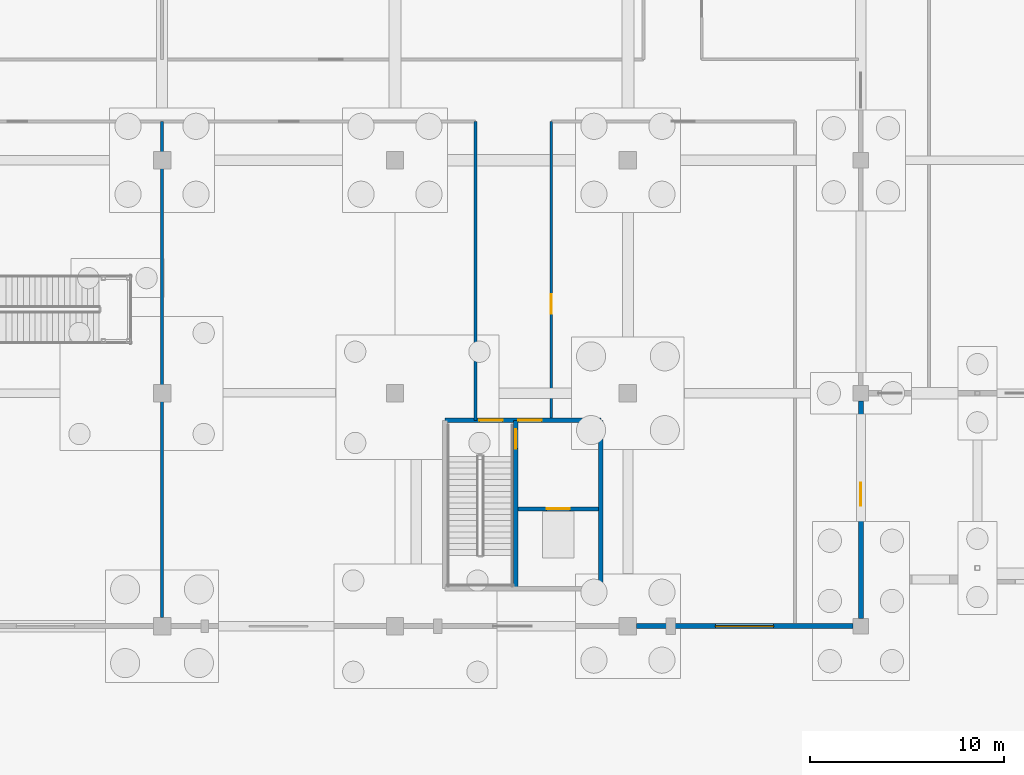
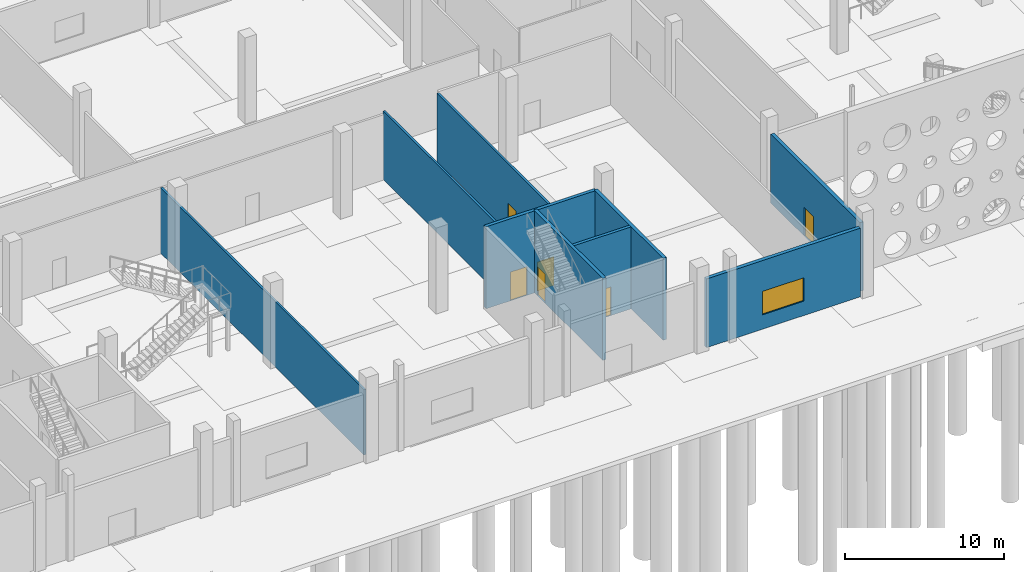
# One storey, part 88 of 117: 9 walls, 6 doors, 1 window, 7 openings.
"""IFC4 building model written with IfcOpenShell, lengths in metres."""

import ifcopenshell
import ifcopenshell.guid

model = None  # the IFC model being written
_history = None  # IfcOwnerHistory: only IFC2X3 demands one
_inside = {}  # id of a spatial element -> (the spatial element, [elements in it])
_under = {}  # id of a project, library or spatial element -> (it, [spatial elements below it])
_declared = {}  # id of a project -> (the project, [libraries it declares])
_typed = {}  # id of a type object -> (the type object, [elements of that type])
_made_of = {}  # id of a material, layer set ... -> (it, [elements and type objects made of it])


def new_model(schema):
    """Start an empty IFC model of exactly this schema.

    Asked for "IFC4X3", IfcOpenShell would pick the latest addendum, in which some entities
    have other attributes; the version numbers below select the first issue.
    IFC2X3 requires an IfcOwnerHistory on every rooted entity: one is made here for all.
    """
    global model, _history
    if schema == "IFC4X3":
        model = ifcopenshell.file(schema_version=(4, 3, 0, 0))
    else:
        model = ifcopenshell.file(schema=schema)
    _inside.clear()
    _under.clear()
    _declared.clear()
    _typed.clear()
    _made_of.clear()
    _history = None
    if model.schema == "IFC2X3":
        org = make("IfcOrganization", Name="unknown")
        user = make(
            "IfcPersonAndOrganization",
            ThePerson=make("IfcPerson", FamilyName="unknown"),
            TheOrganization=org,
        )
        app = make(
            "IfcApplication",
            ApplicationDeveloper=org,
            Version="unknown",
            ApplicationFullName="unknown",
            ApplicationIdentifier="unknown",
        )
        _history = make(
            "IfcOwnerHistory",
            OwningUser=user,
            OwningApplication=app,
            ChangeAction="ADDED",
            CreationDate=0,
        )
    return model


def make(cls, **values):
    """One entity of the class cls with the attributes given. An attribute that is None is left unset."""
    return model.create_entity(
        cls, **{name: value for name, value in values.items() if value is not None}
    )


def rooted(cls, **values):
    """An entity with a GlobalId (a new one), such as an element, a storey or a relation."""
    return make(cls, GlobalId=ifcopenshell.guid.new(), OwnerHistory=_history, **values)


def si_unit(unit_type, name, prefix=None):
    """IfcSIUnit, for example si_unit("LENGTHUNIT", "METRE", prefix="MILLI")."""
    return make("IfcSIUnit", UnitType=unit_type, Prefix=prefix, Name=name)


def assignment(units):
    """IfcUnitAssignment: the units of a project."""
    return None if units is None else make("IfcUnitAssignment", Units=units)


def point(xyz):
    """IfcCartesianPoint."""
    return None if xyz is None else make("IfcCartesianPoint", Coordinates=xyz)


def direction(xyz):
    """IfcDirection."""
    return None if xyz is None else make("IfcDirection", DirectionRatios=xyz)


def frame(location, z_axis=None, x_axis=None):
    """IfcAxis2Placement3D, a coordinate frame: its origin and axes. An axis left out is left unset."""
    return make(
        "IfcAxis2Placement3D",
        Location=point(location),
        Axis=direction(z_axis),
        RefDirection=direction(x_axis),
    )


def frame_2d(location, x_axis=None):
    """IfcAxis2Placement2D, a coordinate frame in the plane: its origin and x axis."""
    return make(
        "IfcAxis2Placement2D", Location=point(location), RefDirection=direction(x_axis)
    )


def origin():
    """The frame at (0, 0, 0) with its axes left unset."""
    return frame((0.0, 0.0, 0.0))


def place(relative_to, where):
    """IfcLocalPlacement: puts the frame where relative to a parent placement (None: the world)."""
    return make(
        "IfcLocalPlacement", PlacementRelTo=relative_to, RelativePlacement=where
    )


def context(
    kind, dimensions, precision=None, world=None, true_north=None, identifier=None
):
    """IfcGeometricRepresentationContext, for example the 3D "Model" context."""
    return make(
        "IfcGeometricRepresentationContext",
        ContextIdentifier=identifier,
        ContextType=kind,
        CoordinateSpaceDimension=dimensions,
        Precision=precision,
        WorldCoordinateSystem=world,
        TrueNorth=true_north,
    )


def subcontext(parent, identifier, kind, view, scale=None):
    """IfcGeometricRepresentationSubContext, for example "Body" below "Model"."""
    return make(
        "IfcGeometricRepresentationSubContext",
        ContextIdentifier=identifier,
        ContextType=kind,
        ParentContext=parent,
        TargetScale=scale,
        TargetView=view,
    )


def project(units=None, contexts=None):
    """IfcProject with its units and contexts."""
    return rooted(
        "IfcProject",
        Name="project",
        RepresentationContexts=contexts,
        UnitsInContext=assignment(units),
    )


def spatial(cls, under=None, at=None, **own):
    """A site, building, storey or space (cls), placed at a placement, below another one or the project."""
    s = rooted(cls, ObjectPlacement=at, **own)
    if under is not None:
        _under.setdefault(under.id(), (under, []))[1].append(s)
    return s


def profile(cls, at=None, kind="AREA", **sizes):
    """A parametric profile (cls). Its sizes go by their IFC names, for example OverallWidth=200.0."""
    return make(cls, ProfileType=kind, Position=at, **sizes)


def rectangle(**sizes):
    """IfcRectangleProfileDef."""
    return profile("IfcRectangleProfileDef", **sizes)


def extrude(swept, where, along, depth):
    """IfcExtrudedAreaSolid: the profile swept, set in the frame where, extruded along a direction by depth."""
    return make(
        "IfcExtrudedAreaSolid",
        SweptArea=swept,
        Position=where,
        ExtrudedDirection=direction(along),
        Depth=depth,
    )


def shape(context_of_items, identifier, shape_type, items):
    """IfcShapeRepresentation: the items that make up one representation, for example the "Body"."""
    return make(
        "IfcShapeRepresentation",
        ContextOfItems=context_of_items,
        RepresentationIdentifier=identifier,
        RepresentationType=shape_type,
        Items=items,
    )


def material(Name=None, Category=None):
    """IfcMaterial."""
    return make("IfcMaterial", Name=Name, Category=Category)


def layer(
    of_material, thickness, ventilated=None, Name=None, Category=None, Priority=None
):
    """IfcMaterialLayer: one layer of a wall or slab, of a material (None: an air gap)."""
    return make(
        "IfcMaterialLayer",
        Material=of_material,
        LayerThickness=thickness,
        IsVentilated=ventilated,
        Name=Name,
        Category=Category,
        Priority=Priority,
    )


def layer_set(layers, Name=None):
    """IfcMaterialLayerSet."""
    return make("IfcMaterialLayerSet", MaterialLayers=layers, LayerSetName=Name)


def made_of(thing, what):
    """Note that an element or type object is made of a material, layer set ...; save() writes the relation."""
    if what is not None:
        _made_of.setdefault(what.id(), (what, []))[1].append(thing)
    return thing


def type_object(cls, material=None, **own):
    """A type object (cls), such as IfcWallType, which elements share."""
    return made_of(rooted(cls, **own), material)


def element(
    cls,
    number,
    at=None,
    inside=None,
    cuts=None,
    type_object=None,
    material=None,
    context=None,
    identifier="Body",
    shape_type=None,
    held_by="IfcProductDefinitionShape",
    body=None,
    shapes=None,
    **own,
):
    """One element of the class cls, such as IfcWall. Its Tag is "e" and its number.

    at: its placement. inside: the storey or other place that contains it. cuts: it is an
    opening in that element (IfcRelVoidsElement). A single representation is given by context,
    identifier, shape_type and body (its items); several are given by shapes. held_by: the class
    of the entity that holds the representations. save() writes the other relations.
    """
    e = rooted(cls, Tag="e%d" % number, ObjectPlacement=at, **own)
    if body is not None:
        shapes = [shape(context, identifier, shape_type, body)]
    if shapes is not None:
        e.Representation = make(held_by, Representations=shapes)
    if inside is not None:
        _inside.setdefault(inside.id(), (inside, []))[1].append(e)
    if cuts is not None:
        rooted(
            "IfcRelVoidsElement", RelatingBuildingElement=cuts, RelatedOpeningElement=e
        )
    if type_object is not None:
        _typed.setdefault(type_object.id(), (type_object, []))[1].append(e)
    return made_of(e, material)


def fill(opening, filler):
    """IfcRelFillsElement: the door or window that sits in an opening."""
    return rooted(
        "IfcRelFillsElement",
        RelatingOpeningElement=opening,
        RelatedBuildingElement=filler,
    )


def aggregate(whole, parts):
    """IfcRelAggregates: a whole, such as a stair, and the parts it consists of."""
    return rooted("IfcRelAggregates", RelatingObject=whole, RelatedObjects=parts)


def save(model, path):
    """Write the relations noted so far, then the file.

    IfcRelAggregates (storeys below a building ...), IfcRelContainedInSpatialStructure (elements
    in a storey), IfcRelDefinesByType, IfcRelAssociatesMaterial and IfcRelDeclares: one each for
    every whole, place, type object, material and project.
    """
    for whole, parts in _under.values():
        aggregate(whole, parts)
    for where, things in _inside.values():
        rooted(
            "IfcRelContainedInSpatialStructure",
            RelatedElements=things,
            RelatingStructure=where,
        )
    for kind, things in _typed.values():
        rooted("IfcRelDefinesByType", RelatedObjects=things, RelatingType=kind)
    for what, things in _made_of.values():
        rooted("IfcRelAssociatesMaterial", RelatedObjects=things, RelatingMaterial=what)
    for by, libraries in _declared.values():
        rooted("IfcRelDeclares", RelatingContext=by, RelatedDefinitions=libraries)
    model.write(path)


model = new_model("IFC4")

# Units and contexts
model_context = context("Model", 3, precision=1e-05, world=origin(), true_north=direction((0.0, 1.0)))
body_context = subcontext(model_context, "Body", "Model", "MODEL_VIEW")
ifc_project = project(units=[si_unit("LENGTHUNIT", "METRE"), si_unit("AREAUNIT", "SQUARE_METRE"), si_unit("VOLUMEUNIT", "CUBIC_METRE"), si_unit("PLANEANGLEUNIT", "RADIAN"), si_unit("MASSUNIT", "GRAM", prefix="KILO")], contexts=[model_context])

# Site, building, storey
site_placement = place(None, origin())
site = spatial("IfcSite", under=ifc_project, at=site_placement, CompositionType="ELEMENT")
building_placement = place(site_placement, origin())
building = spatial("IfcBuilding", under=site, at=building_placement, Name="Kamomehara Wholesale Market", CompositionType="ELEMENT")
storey_placement = place(building_placement, origin())
storey = spatial("IfcBuildingStorey", under=building, at=storey_placement, Name="L00", CompositionType="ELEMENT", Elevation=0.0)

# Wall, opening, window
ifc_material_1 = material(Name="Precast concrete Fc45 (C40/50)", Category="concrete")
ifc_layer_1 = layer(ifc_material_1, 0.260009765625)
ifc_layer_set_1 = layer_set([ifc_layer_1], Name="Precast concrete Fc45 (C40/50)")
wall_type_1 = type_object("IfcWallType", Name="EW-PC-260", PredefinedType="SOLIDWALL", material=ifc_layer_set_1)
wall_1_placement = place(storey_placement, frame((167.60009765625, 12.0, 0.0), z_axis=(0.0, 0.0, 1.0), x_axis=(-1.0, 0.0, 0.0)))
wall_1 = element("IfcWall", 1, at=wall_1_placement, inside=storey, type_object=wall_type_1, Name="Exterior wall EW-PC-260 101", PredefinedType="SOLIDWALL", context=body_context, shape_type="SweptSolid", body=[
    extrude(rectangle(XDim=11.150146484375, YDim=0.260009765625, at=frame_2d((5.5751953125, 0.0))), origin(), (0.0, 0.0, 1.0), 5.26806640625),
])
opening_1_placement = place(wall_1_placement, frame((4.10009765625, 0.0, 1.10009765625)))
opening_1 = element("IfcOpeningElement", 2, at=opening_1_placement, cuts=wall_1, Name="Opening WN-L00-021", PredefinedType="OPENING", context=body_context, shape_type="SweptSolid", body=[
    extrude(rectangle(XDim=3.0, YDim=1.800048828125, at=frame_2d((1.5, 0.89990234375))), frame((0.0, 0.14501953125, 0.0), z_axis=(0.0, -1.0, 0.0), x_axis=(1.0, 0.0, 0.0)), (0.0, 0.0, 1.0), 0.289794921875),
])
ifc_material_2 = material(Name="Solar-control Low-E double glazing", Category="glass")
window_type = type_object("IfcWindowType", Name="WIN-3000x1800", PartitioningType="SINGLE_PANEL", PredefinedType="WINDOW", material=ifc_material_2)
window_placement = place(opening_1_placement, origin())
window = element("IfcWindow", 3, at=window_placement, inside=storey, type_object=window_type, Name="Exterior window WN-L00-021", OverallHeight=1.800048828125, OverallWidth=3.0, PartitioningType="SINGLE_PANEL", PredefinedType="WINDOW", context=body_context, shape_type="SweptSolid", body=[
    extrude(rectangle(XDim=3.0, YDim=1.800048828125, at=frame_2d((1.5, 0.89990234375))), frame((0.0, 0.030029296875, 0.0), z_axis=(0.0, -1.0, 0.0), x_axis=(1.0, 0.0, 0.0)), (0.0, 0.0, 1.0), 0.06005859375),
])
fill(opening_1, window)

# Wall, opening, door
wall_2_placement = place(storey_placement, frame((168.0, 23.60009765625, 0.0), z_axis=(0.0, 0.0, 1.0), x_axis=(0.0, -1.0, 0.0)))
wall_2 = element("IfcWall", 4, at=wall_2_placement, inside=storey, type_object=wall_type_1, Name="Exterior wall EW-PC-260 126", PredefinedType="SOLIDWALL", context=body_context, shape_type="SweptSolid", body=[
    extrude(rectangle(XDim=11.2001953125, YDim=0.260009765625, at=frame_2d((5.60009765625, 0.0))), origin(), (0.0, 0.0, 1.0), 5.26806640625),
])
opening_2_placement = place(wall_2_placement, frame((4.199951171875, 0.0, 0.0)))
opening_2 = element("IfcOpeningElement", 5, at=opening_2_placement, cuts=wall_2, Name="Opening ED-L00-V5E", PredefinedType="OPENING", context=body_context, shape_type="SweptSolid", body=[
    extrude(rectangle(XDim=1.199951171875, YDim=2.199951171875, at=frame_2d((0.60009765625, 1.10009765625))), frame((0.0, 0.14501953125, 0.0), z_axis=(0.0, -1.0, 0.0), x_axis=(1.0, 0.0, 0.0)), (0.0, 0.0, 1.0), 0.289794921875),
])
ifc_material_3 = material(Name="Steel SN400B", Category="steel")
door_type_1 = type_object("IfcDoorType", Name="EDR-1200x2200", OperationType="NOTDEFINED", PredefinedType="DOOR", material=ifc_material_3)
door_1_placement = place(opening_2_placement, origin())
door_1 = element("IfcDoor", 6, at=door_1_placement, inside=storey, type_object=door_type_1, Name="Market spine final exit door ED-L00-V5E", OperationType="SINGLE_SWING_LEFT", OverallHeight=2.199951171875, OverallWidth=1.199951171875, PredefinedType="DOOR", context=body_context, shape_type="SweptSolid", body=[
    extrude(rectangle(XDim=1.199951171875, YDim=2.199951171875, at=frame_2d((0.60009765625, 1.10009765625))), frame((0.0, 0.02490234375, 0.0), z_axis=(0.0, -1.0, 0.0), x_axis=(1.0, 0.0, 0.0)), (0.0, 0.0, 1.0), 0.050048828125),
])
fill(opening_2, door_1)

# Wall
ifc_material_4 = material(Name="Gypsum board partition")
ifc_layer_2 = layer(ifc_material_4, 0.14990234375)
ifc_layer_set_2 = layer_set([ifc_layer_2], Name="Gypsum board partition")
wall_type_2 = type_object("IfcWallType", Name="IW-PRT-150", PredefinedType="PARTITIONING", material=ifc_layer_set_2)
wall_3_placement = place(storey_placement, frame((148.14990234375, 22.60009765625, 0.0), z_axis=(0.0, 0.0, 1.0), x_axis=(0.0, 1.0, 0.0)))
element("IfcWall", 7, at=wall_3_placement, inside=storey, type_object=wall_type_2, Name="Interior wall IW-PRT-150 251", PredefinedType="PARTITIONING", context=body_context, shape_type="SweptSolid", body=[
    extrude(rectangle(XDim=15.39990234375, YDim=0.14990234375, at=frame_2d((7.699951171875, 0.0))), origin(), (0.0, 0.0, 1.0), 5.242919921875),
])

# Wall, opening, door
wall_4_placement = place(storey_placement, frame((152.050048828125, 22.60009765625, 0.0), z_axis=(0.0, 0.0, 1.0), x_axis=(0.0, 1.0, 0.0)))
wall_4 = element("IfcWall", 8, at=wall_4_placement, inside=storey, type_object=wall_type_2, Name="Interior wall IW-PRT-150 252", PredefinedType="PARTITIONING", context=body_context, shape_type="SweptSolid", body=[
    extrude(rectangle(XDim=15.39990234375, YDim=0.14990234375, at=frame_2d((7.699951171875, 0.0))), origin(), (0.0, 0.0, 1.0), 5.242919921875),
])
opening_3_placement = place(wall_4_placement, frame((5.5, 0.0, 0.0)))
opening_3 = element("IfcOpeningElement", 9, at=opening_3_placement, cuts=wall_4, Name="Opening ID-L00-154", PredefinedType="OPENING", context=body_context, shape_type="SweptSolid", body=[
    extrude(rectangle(XDim=1.0, YDim=2.199951171875, at=frame_2d((0.5, 1.10009765625))), frame((0.0, 0.08984375, 0.0), z_axis=(0.0, -1.0, 0.0), x_axis=(1.0, 0.0, 0.0)), (0.0, 0.0, 1.0), 0.1796875),
])
ifc_material_5 = material(Name="Anodised aluminium 6063-T5", Category="aluminium")
door_type_2 = type_object("IfcDoorType", Name="IDR-RM-1000x2200", OperationType="NOTDEFINED", PredefinedType="DOOR", material=ifc_material_5)
door_2_placement = place(opening_3_placement, origin())
door_2 = element("IfcDoor", 10, at=door_2_placement, inside=storey, type_object=door_type_2, Name="Interior door ID-L00-154", OperationType="SINGLE_SWING_RIGHT", OverallHeight=2.199951171875, OverallWidth=1.0, PredefinedType="DOOR", context=body_context, shape_type="SweptSolid", body=[
    extrude(rectangle(XDim=1.0, YDim=2.199951171875, at=frame_2d((0.5, 1.10009765625))), frame((0.0, 0.02490234375, 0.0), z_axis=(0.0, -1.0, 0.0), x_axis=(1.0, 0.0, 0.0)), (0.0, 0.0, 1.0), 0.050048828125),
])
fill(opening_3, door_2)

# Wall
wall_5_placement = place(storey_placement, frame((132.0, 12.449951171875, 0.0), z_axis=(0.0, 0.0, 1.0), x_axis=(0.0, 1.0, 0.0)))
element("IfcWall", 11, at=wall_5_placement, inside=storey, type_object=wall_type_2, Name="Interior wall IW-PRT-150 259", PredefinedType="PARTITIONING", context=body_context, shape_type="SweptSolid", body=[
    extrude(rectangle(XDim=25.550048828125, YDim=0.14990234375, at=frame_2d((12.77490234375, 0.0))), origin(), (0.0, 0.0, 1.0), 5.012939453125),
])

# Wall, opening, door
ifc_material_6 = material(Name="Concrete Fc36 (C35/45)", Category="concrete")
ifc_layer_3 = layer(ifc_material_6, 0.219970703125)
ifc_layer_set_3 = layer_set([ifc_layer_3], Name="Concrete Fc36 (C35/45)")
wall_type_3 = type_object("IfcWallType", Name="IW-SHR-220", PredefinedType="SHEAR", material=ifc_layer_set_3)
wall_6_placement = place(storey_placement, frame((150.340087890625, 18.0400390625, 0.0), z_axis=(0.0, 0.0, 1.0), x_axis=(1.0, 0.0, 0.0)))
wall_6 = element("IfcWall", 12, at=wall_6_placement, inside=storey, type_object=wall_type_3, Name="Interior wall IW-SHR-220 114", PredefinedType="SHEAR", context=body_context, shape_type="SweptSolid", body=[
    extrude(rectangle(XDim=4.139892578125, YDim=0.219970703125, at=frame_2d((2.06982421875, 0.0))), origin(), (0.0, 0.0, 1.0), 6.2900390625),
])
opening_4_placement = place(wall_6_placement, frame((1.469970703125, 0.0, 0.0)))
opening_4 = element("IfcOpeningElement", 13, at=opening_4_placement, cuts=wall_6, Name="Opening LD-LP-04-L00", PredefinedType="OPENING", context=body_context, shape_type="SweptSolid", body=[
    extrude(rectangle(XDim=1.199951171875, YDim=2.199951171875, at=frame_2d((0.60009765625, 1.10009765625))), frame((0.0, 0.125, 0.0), z_axis=(0.0, -1.0, 0.0), x_axis=(1.0, 0.0, 0.0)), (0.0, 0.0, 1.0), 0.249755859375),
])
ifc_material_7 = material(Name="Steel SN400B", Category="steel")
door_type_3 = type_object("IfcDoorType", Name="LDR-PAX-1200x2200", OperationType="DOUBLE_DOOR_SLIDING", PredefinedType="DOOR", material=ifc_material_7)
door_3_placement = place(opening_4_placement, origin())
door_3 = element("IfcDoor", 14, at=door_3_placement, inside=storey, type_object=door_type_3, Name="Lift sliding landing door LD-LP-04-L00", OperationType="DOUBLE_DOOR_SLIDING", OverallHeight=2.199951171875, OverallWidth=1.199951171875, PredefinedType="DOOR", context=body_context, shape_type="SweptSolid", body=[
    extrude(rectangle(XDim=1.199951171875, YDim=2.199951171875, at=frame_2d((0.60009765625, 1.10009765625))), frame((0.0, 0.02490234375, 0.0), z_axis=(0.0, -1.0, 0.0), x_axis=(1.0, 0.0, 0.0)), (0.0, 0.0, 1.0), 0.050048828125),
])
fill(opening_4, door_3)

ifc_material_8 = material(Name="Concrete Fc36 (C35/45)", Category="concrete")
ifc_layer_4 = layer(ifc_material_8, 0.239990234375)
ifc_layer_set_4 = layer_set([ifc_layer_4], Name="Concrete Fc36 (C35/45)")
wall_type_4 = type_object("IfcWallType", Name="IW-SHR-240", PredefinedType="SHEAR", material=ifc_layer_set_4)
wall_7_placement = place(storey_placement, frame((150.219970703125, 13.929931640625, 0.0), z_axis=(0.0, 0.0, 1.0), x_axis=(0.0, 1.0, 0.0)))
wall_7 = element("IfcWall", 15, at=wall_7_placement, inside=storey, type_object=wall_type_4, Name="Interior wall IW-SHR-240 111", PredefinedType="SHEAR", context=body_context, shape_type="SweptSolid", body=[
    extrude(rectangle(XDim=8.670166015625, YDim=0.239990234375, at=frame_2d((4.3349609375, 0.0))), origin(), (0.0, 0.0, 1.0), 6.2900390625),
])
opening_5_placement = place(wall_7_placement, frame((7.219970703125, 0.0, 0.0)))
opening_5 = element("IfcOpeningElement", 16, at=opening_5_placement, cuts=wall_7, Name="Opening FD-L00-C8I", PredefinedType="OPENING", context=body_context, shape_type="SweptSolid", body=[
    extrude(rectangle(XDim=1.0, YDim=2.199951171875, at=frame_2d((0.5, 1.10009765625))), frame((0.0, 0.134765625, 0.0), z_axis=(0.0, -1.0, 0.0), x_axis=(1.0, 0.0, 0.0)), (0.0, 0.0, 1.0), 0.269775390625),
])
door_4_placement = place(opening_5_placement, origin())
door_4 = element("IfcDoor", 17, at=door_4_placement, inside=storey, type_object=door_type_2, Name="Core lobby-stair fire door FD-L00-C8I", OperationType="SINGLE_SWING_RIGHT", OverallHeight=2.199951171875, OverallWidth=1.0, PredefinedType="DOOR", context=body_context, shape_type="SweptSolid", body=[
    extrude(rectangle(XDim=1.0, YDim=2.199951171875, at=frame_2d((0.5, 1.10009765625))), frame((0.0, 0.02490234375, 0.0), z_axis=(0.0, -1.0, 0.0), x_axis=(1.0, 0.0, 0.0)), (0.0, 0.0, 1.0), 0.050048828125),
])
fill(opening_5, door_4)

# Wall
wall_8_placement = place(storey_placement, frame((154.60009765625, 13.929931640625, 0.0), z_axis=(0.0, 0.0, 1.0), x_axis=(0.0, 1.0, 0.0)))
element("IfcWall", 18, at=wall_8_placement, inside=storey, type_object=wall_type_4, Name="Interior wall IW-SHR-240 112", PredefinedType="SHEAR", context=body_context, shape_type="SweptSolid", body=[
    extrude(rectangle(XDim=8.670166015625, YDim=0.239990234375, at=frame_2d((4.3349609375, 0.0))), origin(), (0.0, 0.0, 1.0), 6.2900390625),
])

# Wall, openings, doors
wall_9_placement = place(storey_placement, frame((146.580078125, 22.60009765625, 0.0), z_axis=(0.0, 0.0, 1.0), x_axis=(1.0, 0.0, 0.0)))
wall_9 = element("IfcWall", 19, at=wall_9_placement, inside=storey, type_object=wall_type_4, Name="Interior wall IW-SHR-240 113", PredefinedType="SHEAR", context=body_context, shape_type="SweptSolid", body=[
    extrude(rectangle(XDim=8.02001953125, YDim=0.239990234375, at=frame_2d((4.010009765625, 0.0))), origin(), (0.0, 0.0, 1.0), 6.2900390625),
])
opening_6_placement = place(wall_9_placement, frame((1.77001953125, 0.0, 0.0)))
opening_6 = element("IfcOpeningElement", 20, at=opening_6_placement, cuts=wall_9, Name="Opening FD-L00-C8S", PredefinedType="OPENING", context=body_context, shape_type="SweptSolid", body=[
    extrude(rectangle(XDim=1.199951171875, YDim=2.199951171875, at=frame_2d((0.60009765625, 1.10009765625))), frame((0.0, 0.134765625, 0.0), z_axis=(0.0, -1.0, 0.0), x_axis=(1.0, 0.0, 0.0)), (0.0, 0.0, 1.0), 0.269775390625),
])
opening_7_placement = place(wall_9_placement, frame((3.77001953125, 0.0, 0.0)))
opening_7 = element("IfcOpeningElement", 21, at=opening_7_placement, cuts=wall_9, Name="Opening FD-L00-C8L", PredefinedType="OPENING", context=body_context, shape_type="SweptSolid", body=[
    extrude(rectangle(XDim=1.199951171875, YDim=2.199951171875, at=frame_2d((0.60009765625, 1.10009765625))), frame((0.0, 0.134765625, 0.0), z_axis=(0.0, -1.0, 0.0), x_axis=(1.0, 0.0, 0.0)), (0.0, 0.0, 1.0), 0.269775390625),
])
ifc_material_9 = material(Name="Steel SN400B", Category="steel")
door_type_4 = type_object("IfcDoorType", Name="IDR-FD-1200x2200", OperationType="NOTDEFINED", PredefinedType="DOOR", material=ifc_material_9)
door_5_placement = place(opening_6_placement, origin())
door_5 = element("IfcDoor", 22, at=door_5_placement, inside=storey, type_object=door_type_4, Name="Stair fire door FD-L00-C8S", OperationType="SINGLE_SWING_LEFT", OverallHeight=2.199951171875, OverallWidth=1.199951171875, PredefinedType="DOOR", context=body_context, shape_type="SweptSolid", body=[
    extrude(rectangle(XDim=1.199951171875, YDim=2.199951171875, at=frame_2d((0.60009765625, 1.10009765625))), frame((0.0, 0.02490234375, 0.0), z_axis=(0.0, -1.0, 0.0), x_axis=(1.0, 0.0, 0.0)), (0.0, 0.0, 1.0), 0.050048828125),
])
fill(opening_6, door_5)
door_6_placement = place(opening_7_placement, origin())
door_6 = element("IfcDoor", 23, at=door_6_placement, inside=storey, type_object=door_type_4, Name="Lift lobby fire door FD-L00-C8L", OperationType="SINGLE_SWING_RIGHT", OverallHeight=2.199951171875, OverallWidth=1.199951171875, PredefinedType="DOOR", context=body_context, shape_type="SweptSolid", body=[
    extrude(rectangle(XDim=1.199951171875, YDim=2.199951171875, at=frame_2d((0.60009765625, 1.10009765625))), frame((0.0, 0.02490234375, 0.0), z_axis=(0.0, -1.0, 0.0), x_axis=(1.0, 0.0, 0.0)), (0.0, 0.0, 1.0), 0.050048828125),
])
fill(opening_7, door_6)

save(model, "model.ifc")
